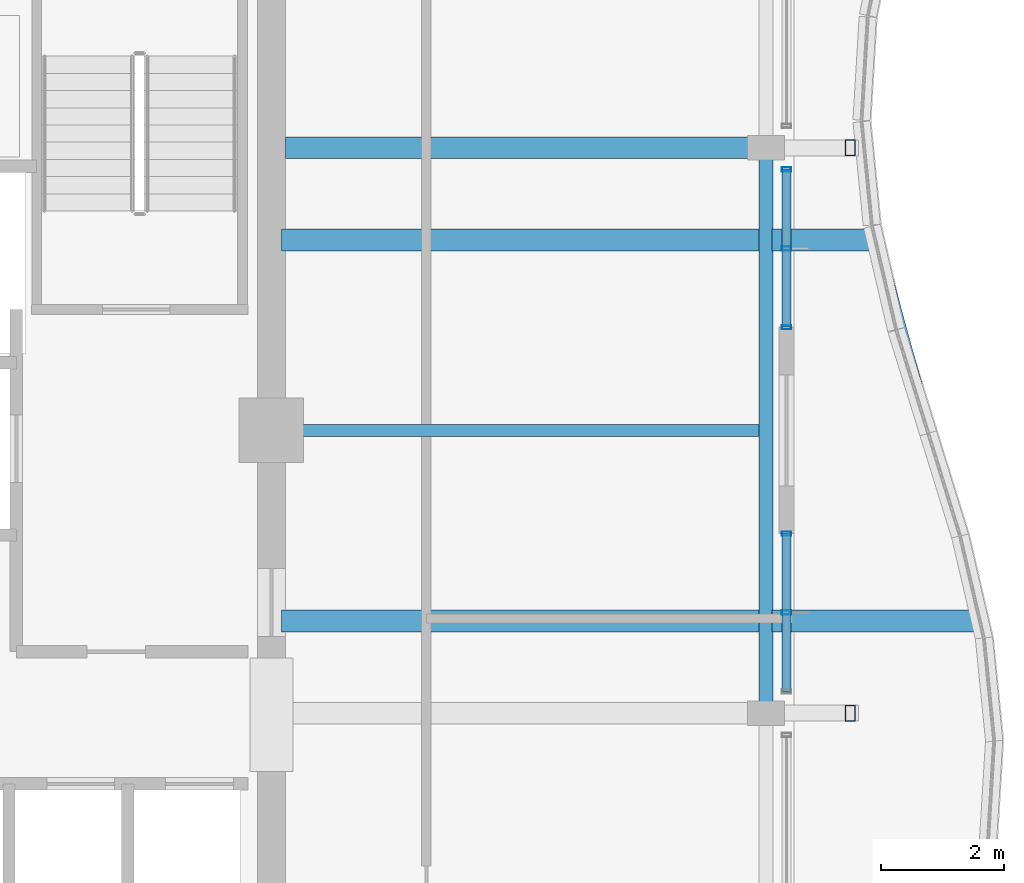
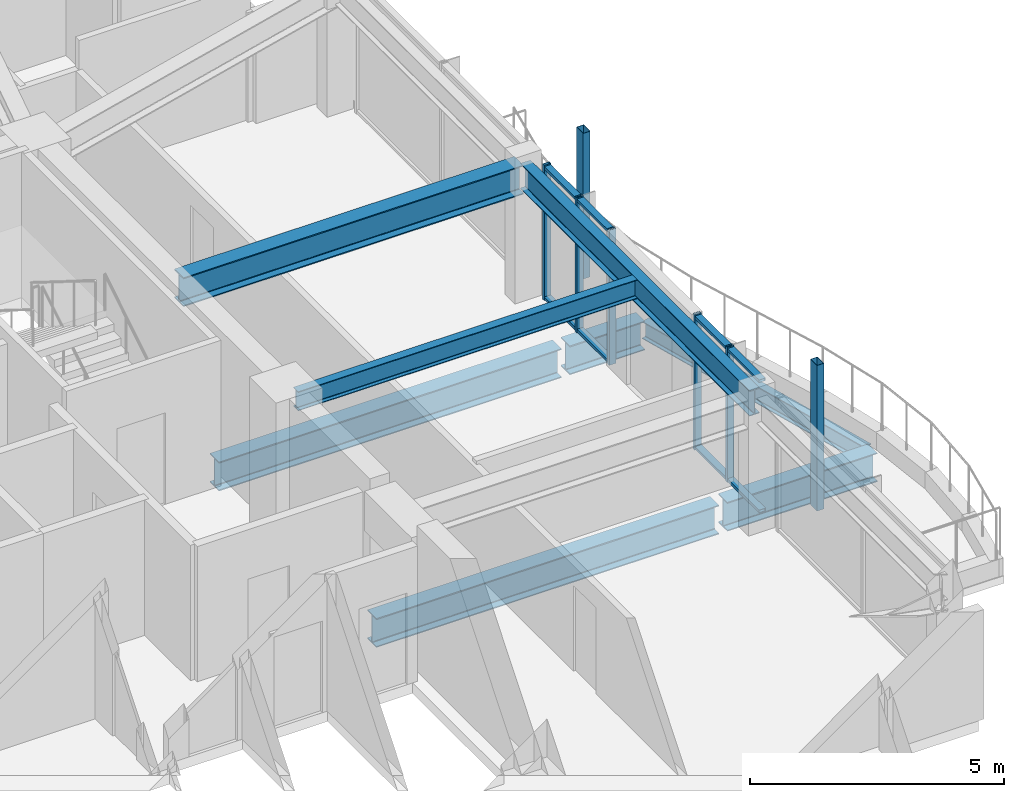
# One storey, part 12 of 31: 11 members, 8 beams, 2 elements without a shape of their own.
"""IFC4 building model written with IfcOpenShell, lengths in metres."""

import ifcopenshell
import ifcopenshell.guid

model = None  # the IFC model being written
_history = None  # IfcOwnerHistory: only IFC2X3 demands one
_inside = {}  # id of a spatial element -> (the spatial element, [elements in it])
_under = {}  # id of a project, library or spatial element -> (it, [spatial elements below it])
_declared = {}  # id of a project -> (the project, [libraries it declares])
_typed = {}  # id of a type object -> (the type object, [elements of that type])
_made_of = {}  # id of a material, layer set ... -> (it, [elements and type objects made of it])


def new_model(schema):
    """Start an empty IFC model of exactly this schema.

    Asked for "IFC4X3", IfcOpenShell would pick the latest addendum, in which some entities
    have other attributes; the version numbers below select the first issue.
    IFC2X3 requires an IfcOwnerHistory on every rooted entity: one is made here for all.
    """
    global model, _history
    if schema == "IFC4X3":
        model = ifcopenshell.file(schema_version=(4, 3, 0, 0))
    else:
        model = ifcopenshell.file(schema=schema)
    _inside.clear()
    _under.clear()
    _declared.clear()
    _typed.clear()
    _made_of.clear()
    _history = None
    if model.schema == "IFC2X3":
        org = make("IfcOrganization", Name="unknown")
        user = make(
            "IfcPersonAndOrganization",
            ThePerson=make("IfcPerson", FamilyName="unknown"),
            TheOrganization=org,
        )
        app = make(
            "IfcApplication",
            ApplicationDeveloper=org,
            Version="unknown",
            ApplicationFullName="unknown",
            ApplicationIdentifier="unknown",
        )
        _history = make(
            "IfcOwnerHistory",
            OwningUser=user,
            OwningApplication=app,
            ChangeAction="ADDED",
            CreationDate=0,
        )
    return model


def make(cls, **values):
    """One entity of the class cls with the attributes given. An attribute that is None is left unset."""
    return model.create_entity(
        cls, **{name: value for name, value in values.items() if value is not None}
    )


def rooted(cls, **values):
    """An entity with a GlobalId (a new one), such as an element, a storey or a relation."""
    return make(cls, GlobalId=ifcopenshell.guid.new(), OwnerHistory=_history, **values)


def si_unit(unit_type, name, prefix=None):
    """IfcSIUnit, for example si_unit("LENGTHUNIT", "METRE", prefix="MILLI")."""
    return make("IfcSIUnit", UnitType=unit_type, Prefix=prefix, Name=name)


def assignment(units):
    """IfcUnitAssignment: the units of a project."""
    return None if units is None else make("IfcUnitAssignment", Units=units)


def point(xyz):
    """IfcCartesianPoint."""
    return None if xyz is None else make("IfcCartesianPoint", Coordinates=xyz)


def direction(xyz):
    """IfcDirection."""
    return None if xyz is None else make("IfcDirection", DirectionRatios=xyz)


def frame(location, z_axis=None, x_axis=None):
    """IfcAxis2Placement3D, a coordinate frame: its origin and axes. An axis left out is left unset."""
    return make(
        "IfcAxis2Placement3D",
        Location=point(location),
        Axis=direction(z_axis),
        RefDirection=direction(x_axis),
    )


def frame_2d(location, x_axis=None):
    """IfcAxis2Placement2D, a coordinate frame in the plane: its origin and x axis."""
    return make(
        "IfcAxis2Placement2D", Location=point(location), RefDirection=direction(x_axis)
    )


def origin():
    """The frame at (0, 0, 0) with its axes left unset."""
    return frame((0.0, 0.0, 0.0))


def origin_2d():
    """The frame at (0, 0) in the plane with its x axis left unset."""
    return frame_2d((0.0, 0.0))


def place(relative_to, where):
    """IfcLocalPlacement: puts the frame where relative to a parent placement (None: the world)."""
    return make(
        "IfcLocalPlacement", PlacementRelTo=relative_to, RelativePlacement=where
    )


def context(
    kind, dimensions, precision=None, world=None, true_north=None, identifier=None
):
    """IfcGeometricRepresentationContext, for example the 3D "Model" context."""
    return make(
        "IfcGeometricRepresentationContext",
        ContextIdentifier=identifier,
        ContextType=kind,
        CoordinateSpaceDimension=dimensions,
        Precision=precision,
        WorldCoordinateSystem=world,
        TrueNorth=true_north,
    )


def subcontext(parent, identifier, kind, view, scale=None):
    """IfcGeometricRepresentationSubContext, for example "Body" below "Model"."""
    return make(
        "IfcGeometricRepresentationSubContext",
        ContextIdentifier=identifier,
        ContextType=kind,
        ParentContext=parent,
        TargetScale=scale,
        TargetView=view,
    )


def project(units=None, contexts=None):
    """IfcProject with its units and contexts."""
    return rooted(
        "IfcProject",
        Name="project",
        RepresentationContexts=contexts,
        UnitsInContext=assignment(units),
    )


def spatial(cls, under=None, at=None, **own):
    """A site, building, storey or space (cls), placed at a placement, below another one or the project."""
    s = rooted(cls, ObjectPlacement=at, **own)
    if under is not None:
        _under.setdefault(under.id(), (under, []))[1].append(s)
    return s


def profile(cls, at=None, kind="AREA", **sizes):
    """A parametric profile (cls). Its sizes go by their IFC names, for example OverallWidth=200.0."""
    return make(cls, ProfileType=kind, Position=at, **sizes)


def hollow_rectangle(**sizes):
    """IfcRectangleHollowProfileDef."""
    return profile("IfcRectangleHollowProfileDef", **sizes)


def i_section(**sizes):
    """IfcIShapeProfileDef."""
    return profile("IfcIShapeProfileDef", **sizes)


def extrude(swept, where, along, depth):
    """IfcExtrudedAreaSolid: the profile swept, set in the frame where, extruded along a direction by depth."""
    return make(
        "IfcExtrudedAreaSolid",
        SweptArea=swept,
        Position=where,
        ExtrudedDirection=direction(along),
        Depth=depth,
    )


def shape(context_of_items, identifier, shape_type, items):
    """IfcShapeRepresentation: the items that make up one representation, for example the "Body"."""
    return make(
        "IfcShapeRepresentation",
        ContextOfItems=context_of_items,
        RepresentationIdentifier=identifier,
        RepresentationType=shape_type,
        Items=items,
    )


def material(Name=None, Category=None):
    """IfcMaterial."""
    return make("IfcMaterial", Name=Name, Category=Category)


def material_profile(
    of_material, cross_section, Name=None, Category=None, Priority=None
):
    """IfcMaterialProfile: a cross section and its material."""
    return make(
        "IfcMaterialProfile",
        Name=Name,
        Material=of_material,
        Profile=cross_section,
        Priority=Priority,
        Category=Category,
    )


def profile_set(profiles, Name=None, composite=None):
    """IfcMaterialProfileSet."""
    return make(
        "IfcMaterialProfileSet",
        Name=Name,
        MaterialProfiles=profiles,
        CompositeProfile=composite,
    )


def made_of(thing, what):
    """Note that an element or type object is made of a material, layer set ...; save() writes the relation."""
    if what is not None:
        _made_of.setdefault(what.id(), (what, []))[1].append(thing)
    return thing


def type_object(cls, material=None, **own):
    """A type object (cls), such as IfcWallType, which elements share."""
    return made_of(rooted(cls, **own), material)


def element(
    cls,
    number,
    at=None,
    inside=None,
    cuts=None,
    type_object=None,
    material=None,
    context=None,
    identifier="Body",
    shape_type=None,
    held_by="IfcProductDefinitionShape",
    body=None,
    shapes=None,
    **own,
):
    """One element of the class cls, such as IfcWall. Its Tag is "e" and its number.

    at: its placement. inside: the storey or other place that contains it. cuts: it is an
    opening in that element (IfcRelVoidsElement). A single representation is given by context,
    identifier, shape_type and body (its items); several are given by shapes. held_by: the class
    of the entity that holds the representations. save() writes the other relations.
    """
    e = rooted(cls, Tag="e%d" % number, ObjectPlacement=at, **own)
    if body is not None:
        shapes = [shape(context, identifier, shape_type, body)]
    if shapes is not None:
        e.Representation = make(held_by, Representations=shapes)
    if inside is not None:
        _inside.setdefault(inside.id(), (inside, []))[1].append(e)
    if cuts is not None:
        rooted(
            "IfcRelVoidsElement", RelatingBuildingElement=cuts, RelatedOpeningElement=e
        )
    if type_object is not None:
        _typed.setdefault(type_object.id(), (type_object, []))[1].append(e)
    return made_of(e, material)


def aggregate(whole, parts):
    """IfcRelAggregates: a whole, such as a stair, and the parts it consists of."""
    return rooted("IfcRelAggregates", RelatingObject=whole, RelatedObjects=parts)


def save(model, path):
    """Write the relations noted so far, then the file.

    IfcRelAggregates (storeys below a building ...), IfcRelContainedInSpatialStructure (elements
    in a storey), IfcRelDefinesByType, IfcRelAssociatesMaterial and IfcRelDeclares: one each for
    every whole, place, type object, material and project.
    """
    for whole, parts in _under.values():
        aggregate(whole, parts)
    for where, things in _inside.values():
        rooted(
            "IfcRelContainedInSpatialStructure",
            RelatedElements=things,
            RelatingStructure=where,
        )
    for kind, things in _typed.values():
        rooted("IfcRelDefinesByType", RelatedObjects=things, RelatingType=kind)
    for what, things in _made_of.values():
        rooted("IfcRelAssociatesMaterial", RelatedObjects=things, RelatingMaterial=what)
    for by, libraries in _declared.values():
        rooted("IfcRelDeclares", RelatingContext=by, RelatedDefinitions=libraries)
    model.write(path)


model = new_model("IFC4")

# Units and contexts
model_context = context("Model", 3, precision=1e-05, world=origin(), true_north=direction((0.0, 1.0)))
body_context = subcontext(model_context, "Body", "Model", "MODEL_VIEW")
ifc_project = project(units=[si_unit("LENGTHUNIT", "METRE"), si_unit("AREAUNIT", "SQUARE_METRE"), si_unit("VOLUMEUNIT", "CUBIC_METRE"), si_unit("PLANEANGLEUNIT", "RADIAN"), si_unit("MASSUNIT", "GRAM", prefix="KILO")], contexts=[model_context])

# Site, building, storey
site_placement = place(None, origin())
site = spatial("IfcSite", under=ifc_project, at=site_placement, CompositionType="ELEMENT")
building_placement = place(site_placement, origin())
building = spatial("IfcBuilding", under=site, at=building_placement, Name="Kolvaren Belvedere", CompositionType="ELEMENT")
storey_placement = place(building_placement, frame((0.0, 0.0, 251.39990234375)))
storey = spatial("IfcBuildingStorey", under=building, at=storey_placement, Name="L73", CompositionType="ELEMENT", Elevation=251.39990234375)

# Beams
ifc_material_1 = material(Name="Structural steel ASTM A992 Grade 50", Category="steel")
ifc_material_profile_1 = material_profile(ifc_material_1, i_section(OverallWidth=0.35498046875, OverallDepth=0.696044921875, WebThickness=0.015380859375, FlangeThickness=0.02490234375, FilletRadius=0.02197265625, at=origin_2d()), Name="W27X146")
ifc_profile_set_1 = profile_set([ifc_material_profile_1], Name="Structural steel ASTM A992 Grade 50")
beam_type_1 = type_object("IfcBeamType", Name="BM-CANT-BAL", PredefinedType="BEAM", material=ifc_profile_set_1)
beam_1_placement = place(storey_placement, frame((18.044921875, -3.10009765625, -0.597900390625), z_axis=(1.0, 0.0, 0.0), x_axis=(0.0, 1.0, 0.0)))
element("IfcBeam", 1, at=beam_1_placement, inside=storey, type_object=beam_type_1, Name="L73 Planted Balcony Cantilever BAL-E-1", PredefinedType="BEAM", context=body_context, shape_type="SweptSolid", body=[
    extrude(i_section(OverallWidth=0.35498046875, OverallDepth=0.696044921875, WebThickness=0.015380859375, FlangeThickness=0.02490234375, FilletRadius=0.02197265625, at=origin_2d()), origin(), (0.0, 0.0, 1.0), 3.406494140625),
])
beam_2_placement = place(storey_placement, frame((18.044921875, 3.10009765625, -0.597900390625), z_axis=(1.0, 0.0, 0.0), x_axis=(0.0, 1.0, 0.0)))
element("IfcBeam", 2, at=beam_2_placement, inside=storey, type_object=beam_type_1, Name="L73 Planted Balcony Cantilever BAL-E-2", PredefinedType="BEAM", context=body_context, shape_type="SweptSolid", body=[
    extrude(i_section(OverallWidth=0.35498046875, OverallDepth=0.696044921875, WebThickness=0.015380859375, FlangeThickness=0.02490234375, FilletRadius=0.02197265625, at=origin_2d()), origin(), (0.0, 0.0, 1.0), 1.703857421875),
])
ifc_material_2 = material(Name="Structural steel ASTM A992 Grade 50", Category="steel")
ifc_material_profile_2 = material_profile(ifc_material_2, i_section(OverallWidth=0.180908203125, OverallDepth=0.4169921875, WebThickness=0.010986328125, FlangeThickness=0.018310546875, FilletRadius=0.013916015625, at=origin_2d()), Name="W16X57")
ifc_profile_set_2 = profile_set([ifc_material_profile_2], Name="Structural steel ASTM A992 Grade 50")
beam_type_2 = type_object("IfcBeamType", Name="BM-EDGE-W16X57", PredefinedType="BEAM", material=ifc_profile_set_2)
beam_3_placement = place(storey_placement, frame((21.414306640625, -2.965087890625, -0.45849609375), z_axis=(-0.26479660726, 0.964304286407, 0.0), x_axis=(-0.964304286407, -0.26479660726, 0.0)))
element("IfcBeam", 3, at=beam_3_placement, inside=storey, type_object=beam_type_2, Name="L73 Balcony Tip Header Beam BAL-E", PredefinedType="BEAM", context=body_context, shape_type="SweptSolid", body=[
    extrude(i_section(OverallWidth=0.180908203125, OverallDepth=0.4169921875, WebThickness=0.010986328125, FlangeThickness=0.018310546875, FilletRadius=0.013916015625, at=origin_2d()), origin(), (0.0, 0.0, 1.0), 6.149658203125),
])
ifc_material_3 = material(Name="Structural steel ASTM A992 Grade 50", Category="steel")
ifc_material_profile_3 = material_profile(ifc_material_3, i_section(OverallWidth=0.35498046875, OverallDepth=0.696044921875, WebThickness=0.015380859375, FlangeThickness=0.02490234375, FilletRadius=0.02197265625, at=origin_2d()), Name="W27X146")
ifc_profile_set_3 = profile_set([ifc_material_profile_3], Name="Structural steel ASTM A992 Grade 50")
beam_type_3 = type_object("IfcBeamType", Name="BM-GIRD-W27X146", PredefinedType="BEAM", material=ifc_profile_set_3)
for number, where, z_axis, x_axis, name in (
    (4, (10.06494140625, -3.10009765625, -0.597900390625), (1.0, 0.0, 0.0), (0.0, 1.0, 0.0), "L73 Balcony Interior Back-Span Girder BAL-E-1"),
    (5, (10.06494140625, 3.10009765625, -0.597900390625), (1.0, 0.0, 0.0), (0.0, 1.0, 0.0), "L73 Balcony Interior Back-Span Girder BAL-E-2"),
):
    element("IfcBeam", number, at=place(storey_placement, frame(where, z_axis=z_axis, x_axis=x_axis)), inside=storey, type_object=beam_type_3, Name=name, PredefinedType="BEAM", context=body_context, shape_type="SweptSolid", body=[
        extrude(i_section(OverallWidth=0.35498046875, OverallDepth=0.696044921875, WebThickness=0.015380859375, FlangeThickness=0.02490234375, FilletRadius=0.02197265625, at=origin_2d()), origin(), (0.0, 0.0, 1.0), 7.7900390625),
    ])
beam_4_placement = place(storey_placement, frame((10.125, 4.60009765625, 2.902099609375), z_axis=(1.0, 0.0, 0.0), x_axis=(0.0, 1.0, 0.0)))
element("IfcBeam", 6, at=beam_4_placement, inside=storey, type_object=beam_type_3, Name="L73 East Radial Girder P", PredefinedType="BEAM", context=body_context, shape_type="SweptSolid", body=[
    extrude(i_section(OverallWidth=0.35498046875, OverallDepth=0.696044921875, WebThickness=0.015380859375, FlangeThickness=0.02490234375, FilletRadius=0.02197265625, at=origin_2d()), origin(), (0.0, 0.0, 1.0), 7.735107421875),
])
ifc_material_4 = material(Name="Structural steel ASTM A992 Grade 50", Category="steel")
ifc_material_profile_4 = material_profile(ifc_material_4, i_section(OverallWidth=0.19091796875, OverallDepth=0.4599609375, WebThickness=0.010009765625, FlangeThickness=0.01611328125, FilletRadius=0.014892578125, at=origin_2d()), Name="W18X55")
ifc_profile_set_4 = profile_set([ifc_material_profile_4], Name="Structural steel ASTM A992 Grade 50")
beam_type_4 = type_object("IfcBeamType", Name="BM-JOIST-W18X55", PredefinedType="BEAM", material=ifc_profile_set_4)
beam_5_placement = place(storey_placement, frame((10.125, 0.0, 3.02001953125), z_axis=(1.0, 0.0, 0.0), x_axis=(0.0, 1.0, 0.0)))
element("IfcBeam", 7, at=beam_5_placement, inside=storey, type_object=beam_type_4, Name="L73 East Centre Floor Beam", PredefinedType="BEAM", context=body_context, shape_type="SweptSolid", body=[
    extrude(i_section(OverallWidth=0.19091796875, OverallDepth=0.4599609375, WebThickness=0.010009765625, FlangeThickness=0.01611328125, FilletRadius=0.014892578125, at=origin_2d()), origin(), (0.0, 0.0, 1.0), 7.71044921875),
])
ifc_material_5 = material(Name="Structural steel ASTM A992 Grade 50", Category="steel")
ifc_material_profile_5 = material_profile(ifc_material_5, i_section(OverallWidth=0.22900390625, OverallDepth=0.612060546875, WebThickness=0.011962890625, FlangeThickness=0.01953125, FilletRadius=0.01806640625, at=origin_2d()), Name="W24X84")
ifc_profile_set_5 = profile_set([ifc_material_profile_5], Name="Structural steel ASTM A992 Grade 50")
beam_type_5 = type_object("IfcBeamType", Name="BM-SPAN-W24X84", PredefinedType="SPANDREL", material=ifc_profile_set_5)
beam_6_placement = place(storey_placement, frame((17.949951171875, -4.510009765625, 2.944091796875), z_axis=(0.0, 1.0, 0.0), x_axis=(-1.0, 0.0, 0.0)))
element("IfcBeam", 8, at=beam_6_placement, inside=storey, type_object=beam_type_5, Name="L73 Perimeter Spandrel E2-E3", PredefinedType="SPANDREL", context=body_context, shape_type="SweptSolid", body=[
    extrude(i_section(OverallWidth=0.22900390625, OverallDepth=0.612060546875, WebThickness=0.011962890625, FlangeThickness=0.01953125, FilletRadius=0.01806640625, at=origin_2d()), origin(), (0.0, 0.0, 1.0), 9.02001953125),
])

# Curtain wall, members
ifc_material_6 = material(Name="Anodised pale-metal aluminium AA 6063-T6", Category="aluminium")
curtain_wall_type = type_object("IfcCurtainWallType", Name="CW-Z5-HIGH", PredefinedType="NOTDEFINED", material=ifc_material_6)
curtain_wall_1_placement = place(storey_placement, origin())
curtain_wall_1 = element("IfcCurtainWall", 9, at=curtain_wall_1_placement, inside=storey, type_object=curtain_wall_type, Name="L73 Unitised Curtain Wall FCW-L73-E1-B2", PredefinedType="NOTDEFINED")
ifc_material_7 = material(Name="Anodised pale-metal aluminium AA 6063-T6", Category="aluminium")
ifc_material_profile_6 = material_profile(ifc_material_7, hollow_rectangle(XDim=0.070068359375, YDim=0.14990234375, WallThickness=0.004150390625, at=origin_2d()), Name="ALU-MUL-150X70")
ifc_profile_set_6 = profile_set([ifc_material_profile_6], Name="Anodised pale-metal aluminium AA 6063-T6")
member_type_1 = type_object("IfcMemberType", Name="CW-MUL-150", PredefinedType="MULLION", material=ifc_profile_set_6)
member_1_placement = place(storey_placement, frame((18.280029296875, 4.2451171875, 0.0), z_axis=(0.0, 0.0, 1.0), x_axis=(0.0, 1.0, 0.0)))
member_1 = element("IfcMember", 10, at=member_1_placement, type_object=member_type_1, Name="FCW-L73-E1-B2 Unitised Mullion 1", PredefinedType="MULLION", context=body_context, shape_type="SweptSolid", body=[
    extrude(hollow_rectangle(XDim=0.070068359375, YDim=0.14990234375, WallThickness=0.004150390625, at=origin_2d()), origin(), (0.0, 0.0, 1.0), 3.25),
])
member_2_placement = place(storey_placement, frame((18.280029296875, 2.96240234375, 0.0), z_axis=(0.0, 0.0, 1.0), x_axis=(0.0, 1.0, 0.0)))
member_2 = element("IfcMember", 11, at=member_2_placement, type_object=member_type_1, Name="FCW-L73-E1-B2 Unitised Mullion 2", PredefinedType="MULLION", context=body_context, shape_type="SweptSolid", body=[
    extrude(hollow_rectangle(XDim=0.070068359375, YDim=0.14990234375, WallThickness=0.004150390625, at=origin_2d()), origin(), (0.0, 0.0, 1.0), 3.25),
])
member_3_placement = place(storey_placement, frame((18.280029296875, 1.679931640625, 0.0), z_axis=(0.0, 0.0, 1.0), x_axis=(0.0, 1.0, 0.0)))
member_3 = element("IfcMember", 12, at=member_3_placement, type_object=member_type_1, Name="FCW-L73-E1-B2 Unitised Mullion 3", PredefinedType="MULLION", context=body_context, shape_type="SweptSolid", body=[
    extrude(hollow_rectangle(XDim=0.070068359375, YDim=0.14990234375, WallThickness=0.004150390625, at=origin_2d()), origin(), (0.0, 0.0, 1.0), 3.25),
])

curtain_wall_2_placement = place(storey_placement, origin())
curtain_wall_2 = element("IfcCurtainWall", 13, at=curtain_wall_2_placement, inside=storey, type_object=curtain_wall_type, Name="L73 Unitised Curtain Wall FCW-L73-E2-B1", PredefinedType="NOTDEFINED")
member_4_placement = place(storey_placement, frame((18.280029296875, -1.679931640625, 0.0), z_axis=(0.0, 0.0, 1.0), x_axis=(0.0, 1.0, 0.0)))
member_4 = element("IfcMember", 14, at=member_4_placement, type_object=member_type_1, Name="FCW-L73-E2-B1 Unitised Mullion 1", PredefinedType="MULLION", context=body_context, shape_type="SweptSolid", body=[
    extrude(hollow_rectangle(XDim=0.070068359375, YDim=0.14990234375, WallThickness=0.004150390625, at=origin_2d()), origin(), (0.0, 0.0, 1.0), 3.25),
])
member_5_placement = place(storey_placement, frame((18.280029296875, -2.96240234375, 0.0), z_axis=(0.0, 0.0, 1.0), x_axis=(0.0, 1.0, 0.0)))
member_5 = element("IfcMember", 15, at=member_5_placement, type_object=member_type_1, Name="FCW-L73-E2-B1 Unitised Mullion 2", PredefinedType="MULLION", context=body_context, shape_type="SweptSolid", body=[
    extrude(hollow_rectangle(XDim=0.070068359375, YDim=0.14990234375, WallThickness=0.004150390625, at=origin_2d()), origin(), (0.0, 0.0, 1.0), 3.25),
])

# Member
ifc_material_8 = material(Name="Anodised pale-metal aluminium AA 6063-T6", Category="aluminium")
ifc_material_profile_7 = material_profile(ifc_material_8, hollow_rectangle(XDim=0.06494140625, YDim=0.14990234375, WallThickness=0.00390625, at=origin_2d()), Name="ALU-TRN-150X65")
ifc_profile_set_7 = profile_set([ifc_material_profile_7], Name="Anodised pale-metal aluminium AA 6063-T6")
member_type_2 = type_object("IfcMemberType", Name="CW-TRN-150", PredefinedType="USERDEFINED", material=ifc_profile_set_7)
member_6_placement = place(storey_placement, frame((18.280029296875, 4.2451171875, 0.06005859375), z_axis=(0.0, -1.0, 0.0), x_axis=(0.0, 0.0, 1.0)))
member_6 = element("IfcMember", 16, at=member_6_placement, type_object=member_type_2, Name="FCW-L73-E1-B2 Sill Transom", ObjectType="TRANSOM", PredefinedType="USERDEFINED", context=body_context, shape_type="SweptSolid", body=[
    extrude(hollow_rectangle(XDim=0.06494140625, YDim=0.14990234375, WallThickness=0.00390625, at=origin_2d()), origin(), (0.0, 0.0, 1.0), 2.565185546875),
])

member_7_placement = place(storey_placement, frame((18.280029296875, 4.2451171875, 3.190185546875), z_axis=(0.0, -1.0, 0.0), x_axis=(0.0, 0.0, 1.0)))
member_7 = element("IfcMember", 17, at=member_7_placement, type_object=member_type_2, Name="FCW-L73-E1-B2 Head Transom", ObjectType="TRANSOM", PredefinedType="USERDEFINED", context=body_context, shape_type="SweptSolid", body=[
    extrude(hollow_rectangle(XDim=0.06494140625, YDim=0.14990234375, WallThickness=0.00390625, at=origin_2d()), origin(), (0.0, 0.0, 1.0), 2.565185546875),
])

aggregate(curtain_wall_1, [member_1, member_2, member_3, member_6, member_7])

member_8_placement = place(storey_placement, frame((18.280029296875, -1.679931640625, 0.06005859375), z_axis=(0.0, -1.0, 0.0), x_axis=(0.0, 0.0, 1.0)))
member_8 = element("IfcMember", 18, at=member_8_placement, type_object=member_type_2, Name="FCW-L73-E2-B1 Sill Transom", ObjectType="TRANSOM", PredefinedType="USERDEFINED", context=body_context, shape_type="SweptSolid", body=[
    extrude(hollow_rectangle(XDim=0.06494140625, YDim=0.14990234375, WallThickness=0.00390625, at=origin_2d()), origin(), (0.0, 0.0, 1.0), 2.565185546875),
])

member_9_placement = place(storey_placement, frame((18.280029296875, -1.679931640625, 3.190185546875), z_axis=(0.0, -1.0, 0.0), x_axis=(0.0, 0.0, 1.0)))
member_9 = element("IfcMember", 19, at=member_9_placement, type_object=member_type_2, Name="FCW-L73-E2-B1 Head Transom", ObjectType="TRANSOM", PredefinedType="USERDEFINED", context=body_context, shape_type="SweptSolid", body=[
    extrude(hollow_rectangle(XDim=0.06494140625, YDim=0.14990234375, WallThickness=0.00390625, at=origin_2d()), origin(), (0.0, 0.0, 1.0), 2.565185546875),
])

aggregate(curtain_wall_2, [member_4, member_5, member_8, member_9])

# Members
ifc_material_9 = material(Name="Anodised pale-metal aluminium AA 6063-T6", Category="aluminium")
ifc_material_profile_8 = material_profile(ifc_material_9, hollow_rectangle(XDim=0.159912109375, YDim=0.260009765625, WallThickness=0.006591796875, at=origin_2d()), Name="ALU-PF-260X160")
ifc_profile_set_8 = profile_set([ifc_material_profile_8], Name="Anodised pale-metal aluminium AA 6063-T6")
member_type_3 = type_object("IfcMemberType", Name="PF-FRAME-260", PredefinedType="USERDEFINED", material=ifc_profile_set_8)
for number, where, z_axis, x_axis, name in (
    (20, (19.320068359375, 4.60009765625, 0.0), (0.0, 0.0, 1.0), (1.0, 0.0, 0.0), "L73 Outboard Picture-Frame Vertical E1"),
    (21, (19.320068359375, -4.60009765625, 0.0), (0.0, 0.0, 1.0), (1.0, 0.0, 0.0), "L73 Outboard Picture-Frame Vertical E2"),
):
    element("IfcMember", number, at=place(storey_placement, frame(where, z_axis=z_axis, x_axis=x_axis)), inside=storey, type_object=member_type_3, Name=name, ObjectType="PICTURE FRAME FIN", PredefinedType="USERDEFINED", context=body_context, shape_type="SweptSolid", body=[
        extrude(hollow_rectangle(XDim=0.159912109375, YDim=0.260009765625, WallThickness=0.006591796875, at=origin_2d()), origin(), (0.0, 0.0, 1.0), 3.5),
    ])

save(model, "model.ifc")
